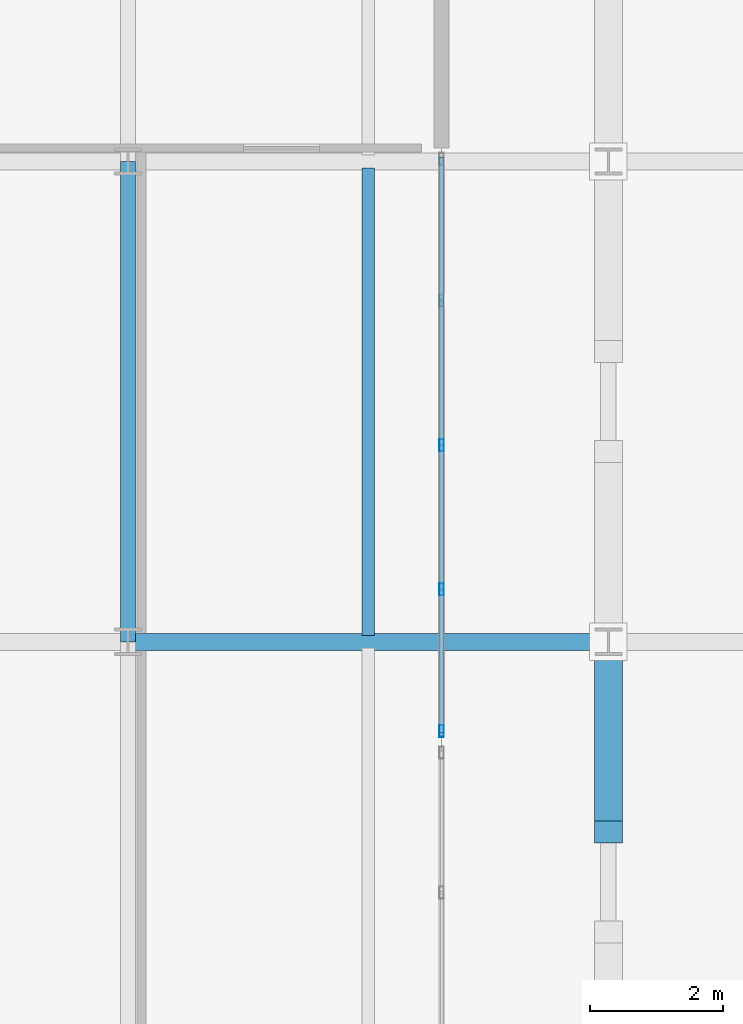
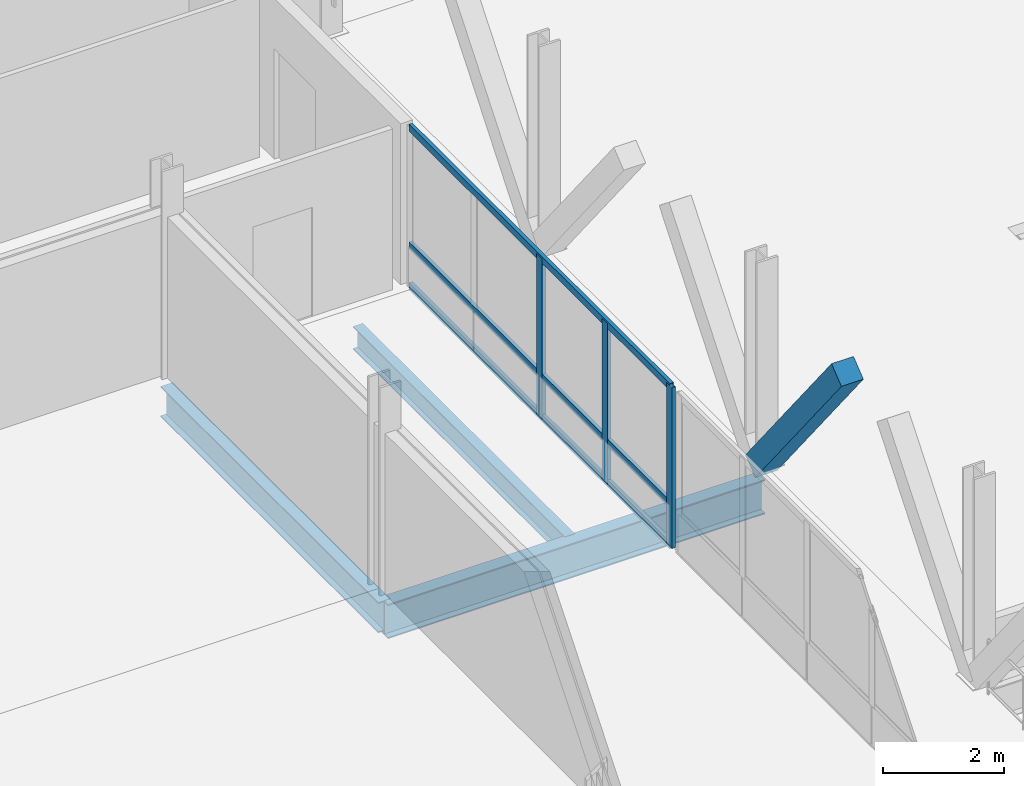
# One storey, part 21 of 102: 7 members, 3 beams, 1 element without a shape of its own.
"""IFC4 building model written with IfcOpenShell, lengths in metres."""

from ifc_helpers import new_model, si_unit, direction, frame, origin, origin_2d, place, context, subcontext, project, spatial, rectangle, hollow_rectangle, i_section, extrude, material, material_profile, profile_set, type_object, element, aggregate, save


model = new_model("IFC4")

# Units and contexts
model_context = context("Model", 3, precision=1e-05, world=origin(), true_north=direction((0.0, 1.0)))
body_context = subcontext(model_context, "Body", "Model", "MODEL_VIEW")
ifc_project = project(units=[si_unit("LENGTHUNIT", "METRE"), si_unit("AREAUNIT", "SQUARE_METRE"), si_unit("VOLUMEUNIT", "CUBIC_METRE"), si_unit("PLANEANGLEUNIT", "RADIAN"), si_unit("MASSUNIT", "GRAM", prefix="KILO")], contexts=[model_context])

# Site, building, storey
site_placement = place(None, origin())
site = spatial("IfcSite", under=ifc_project, at=site_placement, CompositionType="ELEMENT")
building_placement = place(site_placement, origin())
building = spatial("IfcBuilding", under=site, at=building_placement, Name="Yarey Park Central Fire Station", CompositionType="ELEMENT")
storey_placement = place(building_placement, frame((0.0, 0.0, 6.0)))
storey = spatial("IfcBuildingStorey", under=building, at=storey_placement, Name="L02", CompositionType="ELEMENT", Elevation=6.0)

# Curtain wall, members
ifc_material_1 = material(Name="Anodized Aluminium Frame", Category="aluminium")
curtain_wall_type = type_object("IfcCurtainWallType", Name="ENV_CW_V3_GALW", PredefinedType="NOTDEFINED", material=ifc_material_1)
curtain_wall_placement = place(storey_placement, origin())
curtain_wall = element("IfcCurtainWall", 1, at=curtain_wall_placement, inside=storey, type_object=curtain_wall_type, Name="CW_L02_V1_E_039", PredefinedType="NOTDEFINED")
ifc_material_profile_1 = material_profile(ifc_material_1, hollow_rectangle(XDim=0.070068359375, YDim=0.179931640625, WallThickness=0.00390625, at=origin_2d()), Name="ALU 180x70x4")
ifc_profile_set_1 = profile_set([ifc_material_profile_1], Name="Anodized Aluminium Frame")
member_type_1 = type_object("IfcMemberType", Name="ENV_CW_MULLION", PredefinedType="MULLION", material=ifc_profile_set_1)
member_1_placement = place(storey_placement, frame((55.10009765625, 41.860107421875, 0.0), z_axis=(0.0, 0.0, 1.0), x_axis=(1.0, 0.0, 0.0)))
member_1 = element("IfcMember", 2, at=member_1_placement, type_object=member_type_1, Name="CW_L02_V1_E_039_MUL1", PredefinedType="MULLION", context=body_context, shape_type="SweptSolid", body=[
    extrude(hollow_rectangle(XDim=0.070068359375, YDim=0.179931640625, WallThickness=0.00390625, at=origin_2d()), origin(), (0.0, 0.0, 1.0), 3.2470703125),
])
member_2_placement = place(storey_placement, frame((55.10009765625, 43.985107421875, 0.0), z_axis=(0.0, 0.0, 1.0), x_axis=(1.0, 0.0, 0.0)))
member_2 = element("IfcMember", 3, at=member_2_placement, type_object=member_type_1, Name="CW_L02_V1_E_039_MUL2", PredefinedType="MULLION", context=body_context, shape_type="SweptSolid", body=[
    extrude(hollow_rectangle(XDim=0.070068359375, YDim=0.179931640625, WallThickness=0.00390625, at=origin_2d()), origin(), (0.0, 0.0, 1.0), 3.2470703125),
])
member_3_placement = place(storey_placement, frame((55.10009765625, 46.14990234375, 0.0), z_axis=(0.0, 0.0, 1.0), x_axis=(1.0, 0.0, 0.0)))
member_3 = element("IfcMember", 4, at=member_3_placement, type_object=member_type_1, Name="CW_L02_V1_E_039_MUL3", PredefinedType="MULLION", context=body_context, shape_type="SweptSolid", body=[
    extrude(hollow_rectangle(XDim=0.070068359375, YDim=0.179931640625, WallThickness=0.00390625, at=origin_2d()), origin(), (0.0, 0.0, 1.0), 3.2470703125),
])
ifc_material_profile_2 = material_profile(ifc_material_1, hollow_rectangle(XDim=0.070068359375, YDim=0.139892578125, WallThickness=0.00390625, at=origin_2d()), Name="ALU 140x70x4")
ifc_profile_set_2 = profile_set([ifc_material_profile_2], Name="Anodized Aluminium Frame")
member_type_2 = type_object("IfcMemberType", Name="ENV_CW_TRANSOM", PredefinedType="USERDEFINED", material=ifc_profile_set_2)
member_4_placement = place(storey_placement, frame((55.10009765625, 41.8349609375, 0.02490234375), z_axis=(0.0, 1.0, 0.0), x_axis=(-1.0, 0.0, 0.0)))
member_4 = element("IfcMember", 5, at=member_4_placement, type_object=member_type_2, Name="CW_L02_V1_E_039_TRN1", ObjectType="TRANSOM", PredefinedType="USERDEFINED", context=body_context, shape_type="SweptSolid", body=[
    extrude(hollow_rectangle(XDim=0.070068359375, YDim=0.139892578125, WallThickness=0.00390625, at=origin_2d()), origin(), (0.0, 0.0, 1.0), 8.630126953125),
])
member_5_placement = place(storey_placement, frame((55.10009765625, 41.8349609375, 0.85009765625), z_axis=(0.0, 1.0, 0.0), x_axis=(-1.0, 0.0, 0.0)))
member_5 = element("IfcMember", 6, at=member_5_placement, type_object=member_type_2, Name="CW_L02_V1_E_039_TRN2", ObjectType="TRANSOM", PredefinedType="USERDEFINED", context=body_context, shape_type="SweptSolid", body=[
    extrude(hollow_rectangle(XDim=0.070068359375, YDim=0.139892578125, WallThickness=0.00390625, at=origin_2d()), origin(), (0.0, 0.0, 1.0), 8.630126953125),
])
member_6_placement = place(storey_placement, frame((55.10009765625, 41.8349609375, 3.221923828125), z_axis=(0.0, 1.0, 0.0), x_axis=(-1.0, 0.0, 0.0)))
member_6 = element("IfcMember", 7, at=member_6_placement, type_object=member_type_2, Name="CW_L02_V1_E_039_TRN3", ObjectType="TRANSOM", PredefinedType="USERDEFINED", context=body_context, shape_type="SweptSolid", body=[
    extrude(hollow_rectangle(XDim=0.070068359375, YDim=0.139892578125, WallThickness=0.00390625, at=origin_2d()), origin(), (0.0, 0.0, 1.0), 8.630126953125),
])
aggregate(curtain_wall, [member_1, member_2, member_3, member_4, member_5, member_6])

# Beams
ifc_material_2 = material(Name="Steel ASTM A992 Gr. 50", Category="steel")
ifc_material_profile_3 = material_profile(ifc_material_2, i_section(OverallWidth=0.22900390625, OverallDepth=0.612060546875, WebThickness=0.011962890625, FlangeThickness=0.01953125, at=origin_2d()), Name="W610x125")
ifc_profile_set_3 = profile_set([ifc_material_profile_3], Name="Steel ASTM A992 Gr. 50")
beam_type_1 = type_object("IfcBeamType", Name="STR_BM_W610", PredefinedType="BEAM", material=ifc_profile_set_3)
beam_1_placement = place(storey_placement, frame((50.39990234375, 43.199951171875, -0.591064453125), z_axis=(0.0, 1.0, 0.0), x_axis=(-1.0, 0.0, 0.0)))
element("IfcBeam", 8, at=beam_1_placement, inside=storey, type_object=beam_type_1, Name="BMY L02 X504 Y432", PredefinedType="BEAM", context=body_context, shape_type="SweptSolid", body=[
    extrude(i_section(OverallWidth=0.22900390625, OverallDepth=0.612060546875, WebThickness=0.011962890625, FlangeThickness=0.01953125, at=origin_2d()), origin(), (0.0, 0.0, 1.0), 7.199951171875),
])
ifc_material_profile_4 = material_profile(ifc_material_2, i_section(OverallWidth=0.256103515625, OverallDepth=0.693115234375, WebThickness=0.014404296875, FlangeThickness=0.023681640625, at=origin_2d()), Name="W690x170")
ifc_profile_set_4 = profile_set([ifc_material_profile_4], Name="Steel ASTM A992 Gr. 50")
beam_type_2 = type_object("IfcBeamType", Name="STR_BM_W690", PredefinedType="BEAM", material=ifc_profile_set_4)
beam_2_placement = place(storey_placement, frame((50.39990234375, 43.199951171875, -0.631591796875), z_axis=(1.0, 0.0, 0.0), x_axis=(0.0, 1.0, 0.0)))
element("IfcBeam", 9, at=beam_2_placement, inside=storey, type_object=beam_type_2, Name="BMX L02 Y432 X504", PredefinedType="BEAM", context=body_context, shape_type="SweptSolid", body=[
    extrude(i_section(OverallWidth=0.256103515625, OverallDepth=0.693115234375, WebThickness=0.014404296875, FlangeThickness=0.023681640625, at=origin_2d()), origin(), (0.0, 0.0, 1.0), 7.2001953125),
])
ifc_material_profile_5 = material_profile(ifc_material_2, i_section(OverallWidth=0.18994140625, OverallDepth=0.45703125, WebThickness=0.009033203125, FlangeThickness=0.014404296875, at=origin_2d()), Name="W460x74")
ifc_profile_set_5 = profile_set([ifc_material_profile_5], Name="Steel ASTM A992 Gr. 50")
beam_type_3 = type_object("IfcBeamType", Name="STR_JST_W460", PredefinedType="JOIST", material=ifc_profile_set_5)
beam_3_placement = place(storey_placement, frame((54.0, 43.294921875, -0.513427734375), z_axis=(0.0, 1.0, 0.0), x_axis=(-1.0, 0.0, 0.0)))
element("IfcBeam", 10, at=beam_3_placement, inside=storey, type_object=beam_type_3, Name="JST L02 X540 Y432", PredefinedType="JOIST", context=body_context, shape_type="SweptSolid", body=[
    extrude(i_section(OverallWidth=0.18994140625, OverallDepth=0.45703125, WebThickness=0.009033203125, FlangeThickness=0.014404296875, at=origin_2d()), origin(), (0.0, 0.0, 1.0), 7.010009765625),
])

# Member
ifc_material_3 = material(Name="Glulam GL28h", Category="wood")
ifc_material_profile_6 = material_profile(ifc_material_3, rectangle(XDim=0.419921875, YDim=0.419921875, at=origin_2d()), Name="GL 420x420")
ifc_profile_set_6 = profile_set([ifc_material_profile_6], Name="Glulam GL28h")
member_type_3 = type_object("IfcMemberType", Name="STR_STRUT_GL420", PredefinedType="STRUT", material=ifc_profile_set_6)
member_7_placement = place(storey_placement, frame((57.60009765625, 43.199951171875, -0.02001953125), z_axis=(0.0, -0.623866946252, 0.781530570979), x_axis=(1.0, 0.0, 0.0)))
element("IfcMember", 11, at=member_7_placement, inside=storey, type_object=member_type_3, Name="Raked Glulam Strut RGS-70", PredefinedType="STRUT", context=body_context, shape_type="SweptSolid", body=[
    extrude(rectangle(XDim=0.419921875, YDim=0.419921875, at=origin_2d()), origin(), (0.0, 0.0, 1.0), 4.568115234375),
])

save(model, "model.ifc")
